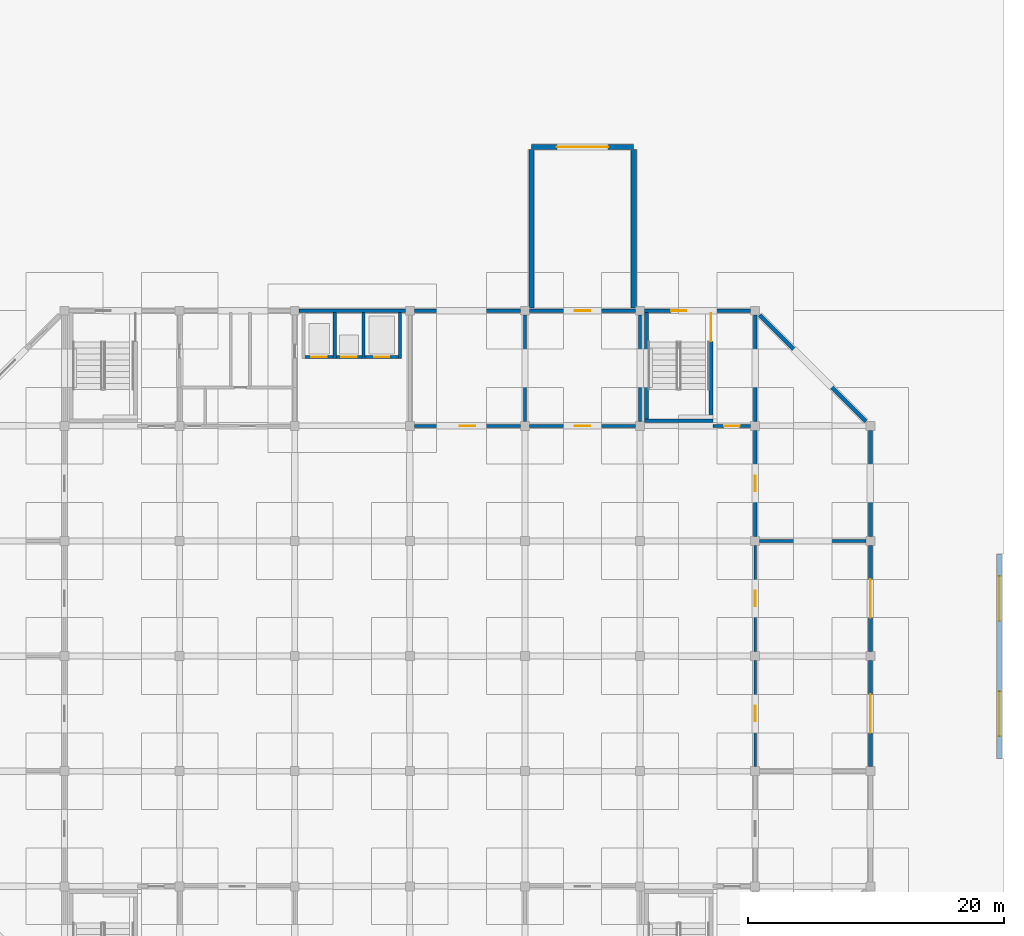
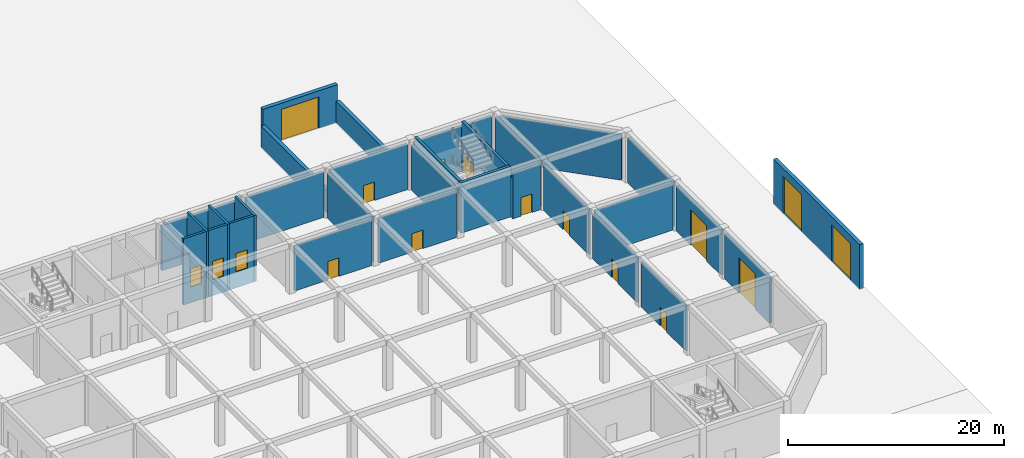
# One storey, part 27 of 44: 29 walls, 17 doors, 17 openings.
"""IFC4 building model written with IfcOpenShell, lengths in metres."""

from ifc_helpers import new_model, si_unit, direction, frame, frame_2d, origin, place, context, subcontext, project, spatial, rectangle, extrude, material, layer, layer_set, type_object, element, fill, save


model = new_model("IFC4")

# Units and contexts
model_context = context("Model", 3, precision=1e-05, world=origin(), true_north=direction((0.0, 1.0)))
body_context = subcontext(model_context, "Body", "Model", "MODEL_VIEW")
ifc_project = project(units=[si_unit("LENGTHUNIT", "METRE"), si_unit("AREAUNIT", "SQUARE_METRE"), si_unit("VOLUMEUNIT", "CUBIC_METRE"), si_unit("PLANEANGLEUNIT", "RADIAN"), si_unit("MASSUNIT", "GRAM", prefix="KILO")], contexts=[model_context])

# Site, building, storey
site_placement = place(None, origin())
site = spatial("IfcSite", under=ifc_project, at=site_placement, CompositionType="ELEMENT")
building_placement = place(site_placement, origin())
building = spatial("IfcBuilding", under=site, at=building_placement, Name="Dhurran Vertical Campus", CompositionType="ELEMENT")
storey_placement = place(building_placement, origin())
storey = spatial("IfcBuildingStorey", under=building, at=storey_placement, Name="L00", CompositionType="ELEMENT", Elevation=0.0)

# Wall, opening, door
ifc_material_1 = material(Name="Precast concrete C40/50", Category="concrete")
ifc_layer_1 = layer(ifc_material_1, 0.300048828125)
ifc_layer_set_1 = layer_set([ifc_layer_1], Name="Precast concrete C40/50")
wall_type_1 = type_object("IfcWallType", Name="hl-external wall precast 300", PredefinedType="SOLIDWALL", material=ifc_layer_set_1)
wall_1_placement = place(storey_placement, frame((133.5, -8.64990234375, 0.0), z_axis=(0.0, 0.0, 1.0), x_axis=(0.0, 1.0, 0.0)))
wall_1 = element("IfcWall", 1, at=wall_1_placement, inside=storey, type_object=wall_type_1, Name="Hall external wall L00-020", PredefinedType="SOLIDWALL", context=body_context, shape_type="SweptSolid", body=[
    extrude(rectangle(XDim=8.2998046875, YDim=0.300048828125, at=frame_2d((4.14990234375, 0.0))), origin(), (0.0, 0.0, 1.0), 5.10009765625),
])
opening_1_placement = place(wall_1_placement, frame((2.64990234375, 0.0, 0.0)))
opening_1 = element("IfcOpeningElement", 2, at=opening_1_placement, cuts=wall_1, Name="Opening HDE07", PredefinedType="OPENING", context=body_context, shape_type="SweptSolid", body=[
    extrude(rectangle(XDim=3.0, YDim=4.0, at=frame_2d((1.5, 2.0))), frame((0.0, 0.159912109375, 0.0), z_axis=(0.0, -1.0, 0.0), x_axis=(1.0, 0.0, 0.0)), (0.0, 0.0, 1.0), 0.320068359375),
])
ifc_material_2 = material(Name="Galvanised sheet steel", Category="steel")
door_type_1 = type_object("IfcDoorType", Name="hl-dock door roller 3000x4000", OperationType="NOTDEFINED", PredefinedType="DOOR", material=ifc_material_2)
door_1_placement = place(opening_1_placement, origin())
door_1 = element("IfcDoor", 3, at=door_1_placement, inside=storey, type_object=door_type_1, Name="Door HDE07", OperationType="ROLLINGUP", OverallHeight=4.0, OverallWidth=3.0, PredefinedType="DOOR", context=body_context, shape_type="SweptSolid", body=[
    extrude(rectangle(XDim=3.0, YDim=4.0, at=frame_2d((1.5, 2.0))), frame((0.0, 0.02490234375, 0.0), z_axis=(0.0, -1.0, 0.0), x_axis=(1.0, 0.0, 0.0)), (0.0, 0.0, 1.0), 0.050048828125),
])
fill(opening_1, door_1)

wall_2_placement = place(storey_placement, frame((133.5, 0.35009765625, 0.0), z_axis=(0.0, 0.0, 1.0), x_axis=(0.0, 1.0, 0.0)))
wall_2 = element("IfcWall", 4, at=wall_2_placement, inside=storey, type_object=wall_type_1, Name="Hall external wall L00-022", PredefinedType="SOLIDWALL", context=body_context, shape_type="SweptSolid", body=[
    extrude(rectangle(XDim=8.2998046875, YDim=0.300048828125, at=frame_2d((4.14990234375, 0.0))), origin(), (0.0, 0.0, 1.0), 5.10009765625),
])
opening_2_placement = place(wall_2_placement, frame((2.64990234375, 0.0, 0.0)))
opening_2 = element("IfcOpeningElement", 5, at=opening_2_placement, cuts=wall_2, Name="Opening HDE08", PredefinedType="OPENING", context=body_context, shape_type="SweptSolid", body=[
    extrude(rectangle(XDim=3.0, YDim=4.0, at=frame_2d((1.5, 2.0))), frame((0.0, 0.159912109375, 0.0), z_axis=(0.0, -1.0, 0.0), x_axis=(1.0, 0.0, 0.0)), (0.0, 0.0, 1.0), 0.320068359375),
])
door_2_placement = place(opening_2_placement, origin())
door_2 = element("IfcDoor", 6, at=door_2_placement, inside=storey, type_object=door_type_1, Name="Door HDE08", OperationType="ROLLINGUP", OverallHeight=4.0, OverallWidth=3.0, PredefinedType="DOOR", context=body_context, shape_type="SweptSolid", body=[
    extrude(rectangle(XDim=3.0, YDim=4.0, at=frame_2d((1.5, 2.0))), frame((0.0, 0.02490234375, 0.0), z_axis=(0.0, -1.0, 0.0), x_axis=(1.0, 0.0, 0.0)), (0.0, 0.0, 1.0), 0.050048828125),
])
fill(opening_2, door_2)

# Walls
wall_3_placement = place(storey_placement, frame((133.5, 9.35009765625, 0.0), z_axis=(0.0, 0.0, 1.0), x_axis=(0.0, 1.0, 0.0)))
element("IfcWall", 7, at=wall_3_placement, inside=storey, type_object=wall_type_1, Name="Hall external wall L00-024", PredefinedType="SOLIDWALL", context=body_context, shape_type="SweptSolid", body=[
    extrude(rectangle(XDim=8.2998046875, YDim=0.300048828125, at=frame_2d((4.14990234375, 0.0))), origin(), (0.0, 0.0, 1.0), 5.10009765625),
])
wall_4_placement = place(storey_placement, frame((133.14990234375, 18.35009765625, 0.0), z_axis=(0.0, 0.0, 1.0), x_axis=(-0.707106781187, 0.707106781187, 0.0)))
element("IfcWall", 8, at=wall_4_placement, inside=storey, type_object=wall_type_1, Name="Hall external wall L00-026", PredefinedType="SOLIDWALL", context=body_context, shape_type="SweptSolid", body=[
    extrude(rectangle(XDim=11.73779296875, YDim=0.300048828125, at=frame_2d((5.868896484375, 0.0))), origin(), (0.0, 0.0, 1.0), 5.10009765625),
])

# Wall, opening, door
wall_5_placement = place(storey_placement, frame((115.14990234375, 27.0, 0.0), z_axis=(0.0, 0.0, 1.0), x_axis=(-1.0, 0.0, 0.0)))
wall_5 = element("IfcWall", 9, at=wall_5_placement, inside=storey, type_object=wall_type_1, Name="Hall external wall L00-030", PredefinedType="SOLIDWALL", context=body_context, shape_type="SweptSolid", body=[
    extrude(rectangle(XDim=8.2998046875, YDim=0.300048828125, at=frame_2d((4.14990234375, 0.0))), origin(), (0.0, 0.0, 1.0), 5.10009765625),
])
opening_3_placement = place(wall_5_placement, frame((3.550048828125, 0.0, 0.0)))
opening_3 = element("IfcOpeningElement", 10, at=opening_3_placement, cuts=wall_5, Name="Opening HDE10", PredefinedType="OPENING", context=body_context, shape_type="SweptSolid", body=[
    extrude(rectangle(XDim=1.199951171875, YDim=2.10009765625, at=frame_2d((0.60009765625, 1.050048828125))), frame((0.0, 0.159912109375, 0.0), z_axis=(0.0, -1.0, 0.0), x_axis=(1.0, 0.0, 0.0)), (0.0, 0.0, 1.0), 0.320068359375),
])
ifc_material_3 = material(Name="Galvanised sheet steel", Category="steel")
door_type_2 = type_object("IfcDoorType", Name="hl-service door 1200x2100", OperationType="NOTDEFINED", PredefinedType="DOOR", material=ifc_material_3)
door_3_placement = place(opening_3_placement, origin())
door_3 = element("IfcDoor", 11, at=door_3_placement, inside=storey, type_object=door_type_2, Name="Door HDE10", OperationType="SINGLE_SWING_LEFT", OverallHeight=2.10009765625, OverallWidth=1.199951171875, PredefinedType="DOOR", context=body_context, shape_type="SweptSolid", body=[
    extrude(rectangle(XDim=1.199951171875, YDim=2.10009765625, at=frame_2d((0.60009765625, 1.050048828125))), frame((0.0, 0.02490234375, 0.0), z_axis=(0.0, -1.0, 0.0), x_axis=(1.0, 0.0, 0.0)), (0.0, 0.0, 1.0), 0.050048828125),
])
fill(opening_3, door_3)

# Walls
for number, where, z_axis, x_axis, name in (
    (12, (106.14990234375, 27.0, 0.0), (0.0, 0.0, 1.0), (-1.0, 0.0, 0.0), "Hall external wall L00-032"),
    (13, (97.14990234375, 27.0, 0.0), (0.0, 0.0, 1.0), (-1.0, 0.0, 0.0), "Hall external wall L00-034"),
):
    element("IfcWall", number, at=place(storey_placement, frame(where, z_axis=z_axis, x_axis=x_axis)), inside=storey, type_object=wall_type_1, Name=name, PredefinedType="SOLIDWALL", context=body_context, shape_type="SweptSolid", body=[
        extrude(rectangle(XDim=8.2998046875, YDim=0.300048828125, at=frame_2d((4.14990234375, 0.0))), origin(), (0.0, 0.0, 1.0), 5.10009765625),
    ])

# Wall, opening, door
ifc_material_4 = material(Name="Precast concrete C40/50", Category="concrete")
ifc_layer_2 = layer(ifc_material_4, 0.300048828125)
ifc_layer_set_2 = layer_set([ifc_layer_2], Name="Precast concrete C40/50")
wall_type_2 = type_object("IfcWallType", Name="hl-external wall precast 300 EI 120", PredefinedType="SOLIDWALL", material=ifc_layer_set_2)
wall_6_placement = place(storey_placement, frame((124.14990234375, 27.0, 0.0), z_axis=(0.0, 0.0, 1.0), x_axis=(-1.0, 0.0, 0.0)))
wall_6 = element("IfcWall", 14, at=wall_6_placement, inside=storey, type_object=wall_type_2, Name="Hall external wall L00-028", PredefinedType="SOLIDWALL", context=body_context, shape_type="SweptSolid", body=[
    extrude(rectangle(XDim=8.2998046875, YDim=0.300048828125, at=frame_2d((4.14990234375, 0.0))), origin(), (0.0, 0.0, 1.0), 5.10009765625),
])
opening_4_placement = place(wall_6_placement, frame((6.224853515625, 0.0, 0.0), z_axis=(0.0, 0.0, 1.0), x_axis=(-1.0, 0.0, 0.0)))
opening_4 = element("IfcOpeningElement", 15, at=opening_4_placement, cuts=wall_6, Name="Opening HDE09", PredefinedType="OPENING", context=body_context, shape_type="SweptSolid", body=[
    extrude(rectangle(XDim=1.199951171875, YDim=2.10009765625, at=frame_2d((0.60009765625, 1.050048828125))), frame((0.0, 0.159912109375, 0.0), z_axis=(0.0, -1.0, 0.0), x_axis=(1.0, 0.0, 0.0)), (0.0, 0.0, 1.0), 0.320068359375),
])
ifc_material_5 = material(Name="Galvanised sheet steel", Category="steel")
door_type_3 = type_object("IfcDoorType", Name="hl-stair exit door 1200x2100 FD90", OperationType="NOTDEFINED", PredefinedType="DOOR", material=ifc_material_5)
door_4_placement = place(opening_4_placement, origin())
door_4 = element("IfcDoor", 16, at=door_4_placement, inside=storey, type_object=door_type_3, Name="Door HDE09", OperationType="SINGLE_SWING_LEFT", OverallHeight=2.10009765625, OverallWidth=1.199951171875, PredefinedType="DOOR", context=body_context, shape_type="SweptSolid", body=[
    extrude(rectangle(XDim=1.199951171875, YDim=2.10009765625, at=frame_2d((0.60009765625, 1.050048828125))), frame((0.0, 0.02490234375, 0.0), z_axis=(0.0, -1.0, 0.0), x_axis=(1.0, 0.0, 0.0)), (0.0, 0.0, 1.0), 0.050048828125),
])
fill(opening_4, door_4)

# Walls
ifc_material_6 = material(Name="Concrete C40/50", Category="concrete")
ifc_layer_3 = layer(ifc_material_6, 0.25)
ifc_layer_set_3 = layer_set([ifc_layer_3], Name="Concrete C40/50")
wall_type_3 = type_object("IfcWallType", Name="hl-lift shaft wall 250", PredefinedType="SHEAR", material=ifc_layer_set_3)
for number, where, z_axis, x_axis, name in (
    (17, (91.625, 23.25, -1.780029296875), (0.0, 0.0, 1.0), (0.0, 1.0, 0.0), "Lift shaft wall V1 L00"),
    (18, (93.875, 23.25, -1.780029296875), (0.0, 0.0, 1.0), (0.0, 1.0, 0.0), "Lift shaft wall V2 L00"),
    (19, (96.72509765625, 23.25, -1.780029296875), (0.0, 0.0, 1.0), (0.0, 1.0, 0.0), "Lift shaft wall V3 L00"),
):
    element("IfcWall", number, at=place(storey_placement, frame(where, z_axis=z_axis, x_axis=x_axis)), inside=storey, type_object=wall_type_3, Name=name, PredefinedType="SHEAR", context=body_context, shape_type="SweptSolid", body=[
        extrude(rectangle(XDim=3.60009765625, YDim=0.25, at=frame_2d((1.800048828125, 0.0))), origin(), (0.0, 0.0, 1.0), 7.5),
    ])

# Wall, openings, doors
wall_7_placement = place(storey_placement, frame((89.050048828125, 23.375, -1.780029296875), z_axis=(0.0, 0.0, 1.0), x_axis=(1.0, 0.0, 0.0)))
wall_7 = element("IfcWall", 20, at=wall_7_placement, inside=storey, type_object=wall_type_3, Name="Lift shaft front wall L00", PredefinedType="SHEAR", context=body_context, shape_type="SweptSolid", body=[
    extrude(rectangle(XDim=7.800048828125, YDim=0.25, at=frame_2d((3.89990234375, 0.0))), origin(), (0.0, 0.0, 1.0), 7.5),
])
opening_5_placement = place(wall_7_placement, frame((0.75, 0.0, 1.780029296875)))
opening_5 = element("IfcOpeningElement", 21, at=opening_5_placement, cuts=wall_7, Name="Opening LD", PredefinedType="OPENING", context=body_context, shape_type="SweptSolid", body=[
    extrude(rectangle(XDim=1.199951171875, YDim=2.10009765625, at=frame_2d((0.60009765625, 1.050048828125))), frame((0.0, 0.135009765625, 0.0), z_axis=(0.0, -1.0, 0.0), x_axis=(1.0, 0.0, 0.0)), (0.0, 0.0, 1.0), 0.27001953125),
])
opening_6_placement = place(wall_7_placement, frame((3.10009765625, 0.0, 1.780029296875)))
opening_6 = element("IfcOpeningElement", 22, at=opening_6_placement, cuts=wall_7, Name="Opening LD", PredefinedType="OPENING", context=body_context, shape_type="SweptSolid", body=[
    extrude(rectangle(XDim=1.199951171875, YDim=2.10009765625, at=frame_2d((0.60009765625, 1.050048828125))), frame((0.0, 0.135009765625, 0.0), z_axis=(0.0, -1.0, 0.0), x_axis=(1.0, 0.0, 0.0)), (0.0, 0.0, 1.0), 0.27001953125),
])
opening_7_placement = place(wall_7_placement, frame((5.64990234375, 0.0, 1.780029296875)))
opening_7 = element("IfcOpeningElement", 23, at=opening_7_placement, cuts=wall_7, Name="Opening LD", PredefinedType="OPENING", context=body_context, shape_type="SweptSolid", body=[
    extrude(rectangle(XDim=1.199951171875, YDim=2.10009765625, at=frame_2d((0.60009765625, 1.050048828125))), frame((0.0, 0.135009765625, 0.0), z_axis=(0.0, -1.0, 0.0), x_axis=(1.0, 0.0, 0.0)), (0.0, 0.0, 1.0), 0.27001953125),
])
ifc_material_7 = material(Name="Stainless steel landing door", Category="steel")
door_type_4 = type_object("IfcDoorType", Name="co-D-LANDING 1200x2100", OperationType="DOUBLE_DOOR_SLIDING", PredefinedType="DOOR", material=ifc_material_7)
door_5_placement = place(opening_5_placement, origin())
door_5 = element("IfcDoor", 24, at=door_5_placement, inside=storey, type_object=door_type_4, Name="Landing door HLF1 L00", OperationType="DOUBLE_DOOR_SLIDING", OverallHeight=2.10009765625, OverallWidth=1.199951171875, PredefinedType="DOOR", context=body_context, shape_type="SweptSolid", body=[
    extrude(rectangle(XDim=1.199951171875, YDim=2.10009765625, at=frame_2d((0.60009765625, 1.050048828125))), frame((0.0, 0.02490234375, 0.0), z_axis=(0.0, -1.0, 0.0), x_axis=(1.0, 0.0, 0.0)), (0.0, 0.0, 1.0), 0.050048828125),
])
fill(opening_5, door_5)
door_6_placement = place(opening_6_placement, origin())
door_6 = element("IfcDoor", 25, at=door_6_placement, inside=storey, type_object=door_type_4, Name="Landing door HLF2 L00", OperationType="DOUBLE_DOOR_SLIDING", OverallHeight=2.10009765625, OverallWidth=1.199951171875, PredefinedType="DOOR", context=body_context, shape_type="SweptSolid", body=[
    extrude(rectangle(XDim=1.199951171875, YDim=2.10009765625, at=frame_2d((0.60009765625, 1.050048828125))), frame((0.0, 0.02490234375, 0.0), z_axis=(0.0, -1.0, 0.0), x_axis=(1.0, 0.0, 0.0)), (0.0, 0.0, 1.0), 0.050048828125),
])
fill(opening_6, door_6)
door_7_placement = place(opening_7_placement, origin())
door_7 = element("IfcDoor", 26, at=door_7_placement, inside=storey, type_object=door_type_4, Name="Landing door HLF3 L00", OperationType="DOUBLE_DOOR_SLIDING", OverallHeight=2.10009765625, OverallWidth=1.199951171875, PredefinedType="DOOR", context=body_context, shape_type="SweptSolid", body=[
    extrude(rectangle(XDim=1.199951171875, YDim=2.10009765625, at=frame_2d((0.60009765625, 1.050048828125))), frame((0.0, 0.02490234375, 0.0), z_axis=(0.0, -1.0, 0.0), x_axis=(1.0, 0.0, 0.0)), (0.0, 0.0, 1.0), 0.050048828125),
])
fill(opening_7, door_7)

# Wall, opening, door
ifc_material_8 = material(Name="Masonry blockwork", Category="masonry")
ifc_layer_4 = layer(ifc_material_8, 0.199951171875)
ifc_layer_set_4 = layer_set([ifc_layer_4], Name="Masonry blockwork")
wall_type_4 = type_object("IfcWallType", Name="hl-partition blockwork 200 EI 60", PredefinedType="PARTITIONING", material=ifc_layer_set_4)
wall_8_placement = place(storey_placement, frame((124.5, -8.64990234375, 0.0), z_axis=(0.0, 0.0, 1.0), x_axis=(0.0, 1.0, 0.0)))
wall_8 = element("IfcWall", 27, at=wall_8_placement, inside=storey, type_object=wall_type_4, Name="Hall partition L00-040", PredefinedType="PARTITIONING", context=body_context, shape_type="SweptSolid", body=[
    extrude(rectangle(XDim=8.2998046875, YDim=0.199951171875, at=frame_2d((4.14990234375, 0.0))), origin(), (0.0, 0.0, 1.0), 5.10009765625),
])
opening_8_placement = place(wall_8_placement, frame((3.550048828125, 0.0, 0.0)))
opening_8 = element("IfcOpeningElement", 28, at=opening_8_placement, cuts=wall_8, Name="Opening HD019", PredefinedType="OPENING", context=body_context, shape_type="SweptSolid", body=[
    extrude(rectangle(XDim=1.199951171875, YDim=2.10009765625, at=frame_2d((0.60009765625, 1.050048828125))), frame((0.0, 0.10986328125, 0.0), z_axis=(0.0, -1.0, 0.0), x_axis=(1.0, 0.0, 0.0)), (0.0, 0.0, 1.0), 0.219970703125),
])
ifc_material_9 = material(Name="Fire-rated steel door set", Category="steel")
door_type_5 = type_object("IfcDoorType", Name="hl-door 1200x2100 single FD30S", OperationType="NOTDEFINED", PredefinedType="DOOR", material=ifc_material_9)
door_8_placement = place(opening_8_placement, origin())
door_8 = element("IfcDoor", 29, at=door_8_placement, inside=storey, type_object=door_type_5, Name="Door HD019", OperationType="SINGLE_SWING_LEFT", OverallHeight=2.10009765625, OverallWidth=1.199951171875, PredefinedType="DOOR", context=body_context, shape_type="SweptSolid", body=[
    extrude(rectangle(XDim=1.199951171875, YDim=2.10009765625, at=frame_2d((0.60009765625, 1.050048828125))), frame((0.0, 0.02490234375, 0.0), z_axis=(0.0, -1.0, 0.0), x_axis=(1.0, 0.0, 0.0)), (0.0, 0.0, 1.0), 0.050048828125),
])
fill(opening_8, door_8)

wall_9_placement = place(storey_placement, frame((124.5, 0.35009765625, 0.0), z_axis=(0.0, 0.0, 1.0), x_axis=(0.0, 1.0, 0.0)))
wall_9 = element("IfcWall", 30, at=wall_9_placement, inside=storey, type_object=wall_type_4, Name="Hall partition L00-041", PredefinedType="PARTITIONING", context=body_context, shape_type="SweptSolid", body=[
    extrude(rectangle(XDim=8.2998046875, YDim=0.199951171875, at=frame_2d((4.14990234375, 0.0))), origin(), (0.0, 0.0, 1.0), 5.10009765625),
])
opening_9_placement = place(wall_9_placement, frame((3.550048828125, 0.0, 0.0)))
opening_9 = element("IfcOpeningElement", 31, at=opening_9_placement, cuts=wall_9, Name="Opening HD020", PredefinedType="OPENING", context=body_context, shape_type="SweptSolid", body=[
    extrude(rectangle(XDim=1.199951171875, YDim=2.10009765625, at=frame_2d((0.60009765625, 1.050048828125))), frame((0.0, 0.10986328125, 0.0), z_axis=(0.0, -1.0, 0.0), x_axis=(1.0, 0.0, 0.0)), (0.0, 0.0, 1.0), 0.219970703125),
])
door_9_placement = place(opening_9_placement, origin())
door_9 = element("IfcDoor", 32, at=door_9_placement, inside=storey, type_object=door_type_5, Name="Door HD020", OperationType="SINGLE_SWING_RIGHT", OverallHeight=2.10009765625, OverallWidth=1.199951171875, PredefinedType="DOOR", context=body_context, shape_type="SweptSolid", body=[
    extrude(rectangle(XDim=1.199951171875, YDim=2.10009765625, at=frame_2d((0.60009765625, 1.050048828125))), frame((0.0, 0.02490234375, 0.0), z_axis=(0.0, -1.0, 0.0), x_axis=(1.0, 0.0, 0.0)), (0.0, 0.0, 1.0), 0.050048828125),
])
fill(opening_9, door_9)

ifc_material_10 = material(Name="Masonry blockwork", Category="masonry")
ifc_layer_5 = layer(ifc_material_10, 0.25)
ifc_layer_set_5 = layer_set([ifc_layer_5], Name="Masonry blockwork")
wall_type_5 = type_object("IfcWallType", Name="hl-partition blockwork 250 EI 120", PredefinedType="PARTITIONING", material=ifc_layer_set_5)
wall_10_placement = place(storey_placement, frame((97.85009765625, 18.0, 0.0), z_axis=(0.0, 0.0, 1.0), x_axis=(1.0, 0.0, 0.0)))
wall_10 = element("IfcWall", 33, at=wall_10_placement, inside=storey, type_object=wall_type_5, Name="Hall partition L00-029", PredefinedType="PARTITIONING", context=body_context, shape_type="SweptSolid", body=[
    extrude(rectangle(XDim=8.2998046875, YDim=0.25, at=frame_2d((4.14990234375, 0.0))), origin(), (0.0, 0.0, 1.0), 5.10009765625),
])
opening_10_placement = place(wall_10_placement, frame((3.550048828125, 0.0, 0.0)))
opening_10 = element("IfcOpeningElement", 34, at=opening_10_placement, cuts=wall_10, Name="Opening HD016", PredefinedType="OPENING", context=body_context, shape_type="SweptSolid", body=[
    extrude(rectangle(XDim=1.199951171875, YDim=2.10009765625, at=frame_2d((0.60009765625, 1.050048828125))), frame((0.0, 0.135009765625, 0.0), z_axis=(0.0, -1.0, 0.0), x_axis=(1.0, 0.0, 0.0)), (0.0, 0.0, 1.0), 0.27001953125),
])
ifc_material_11 = material(Name="Fire-rated steel door set", Category="steel")
door_type_6 = type_object("IfcDoorType", Name="hl-door 1200x2100 single FD90", OperationType="NOTDEFINED", PredefinedType="DOOR", material=ifc_material_11)
door_10_placement = place(opening_10_placement, origin())
door_10 = element("IfcDoor", 35, at=door_10_placement, inside=storey, type_object=door_type_6, Name="Door HD016", OperationType="SINGLE_SWING_RIGHT", OverallHeight=2.10009765625, OverallWidth=1.199951171875, PredefinedType="DOOR", context=body_context, shape_type="SweptSolid", body=[
    extrude(rectangle(XDim=1.199951171875, YDim=2.10009765625, at=frame_2d((0.60009765625, 1.050048828125))), frame((0.0, 0.02490234375, 0.0), z_axis=(0.0, -1.0, 0.0), x_axis=(1.0, 0.0, 0.0)), (0.0, 0.0, 1.0), 0.050048828125),
])
fill(opening_10, door_10)

# Wall
wall_11_placement = place(storey_placement, frame((106.5, 18.35009765625, 0.0), z_axis=(0.0, 0.0, 1.0), x_axis=(0.0, 1.0, 0.0)))
element("IfcWall", 36, at=wall_11_placement, inside=storey, type_object=wall_type_5, Name="Hall partition L00-032", PredefinedType="PARTITIONING", context=body_context, shape_type="SweptSolid", body=[
    extrude(rectangle(XDim=8.2998046875, YDim=0.25, at=frame_2d((4.14990234375, 0.0))), origin(), (0.0, 0.0, 1.0), 5.10009765625),
])

# Wall, opening, door
wall_12_placement = place(storey_placement, frame((106.85009765625, 18.0, 0.0), z_axis=(0.0, 0.0, 1.0), x_axis=(1.0, 0.0, 0.0)))
wall_12 = element("IfcWall", 37, at=wall_12_placement, inside=storey, type_object=wall_type_5, Name="Hall partition L00-033", PredefinedType="PARTITIONING", context=body_context, shape_type="SweptSolid", body=[
    extrude(rectangle(XDim=8.2998046875, YDim=0.25, at=frame_2d((4.14990234375, 0.0))), origin(), (0.0, 0.0, 1.0), 5.10009765625),
])
opening_11_placement = place(wall_12_placement, frame((3.550048828125, 0.0, 0.0)))
opening_11 = element("IfcOpeningElement", 38, at=opening_11_placement, cuts=wall_12, Name="Opening HD017", PredefinedType="OPENING", context=body_context, shape_type="SweptSolid", body=[
    extrude(rectangle(XDim=1.199951171875, YDim=2.10009765625, at=frame_2d((0.60009765625, 1.050048828125))), frame((0.0, 0.135009765625, 0.0), z_axis=(0.0, -1.0, 0.0), x_axis=(1.0, 0.0, 0.0)), (0.0, 0.0, 1.0), 0.27001953125),
])
ifc_material_12 = material(Name="Fire-rated steel door set", Category="steel")
door_type_7 = type_object("IfcDoorType", Name="hl-door 1200x2100 single FD60", OperationType="NOTDEFINED", PredefinedType="DOOR", material=ifc_material_12)
door_11_placement = place(opening_11_placement, origin())
door_11 = element("IfcDoor", 39, at=door_11_placement, inside=storey, type_object=door_type_7, Name="Door HD017", OperationType="SINGLE_SWING_LEFT", OverallHeight=2.10009765625, OverallWidth=1.199951171875, PredefinedType="DOOR", context=body_context, shape_type="SweptSolid", body=[
    extrude(rectangle(XDim=1.199951171875, YDim=2.10009765625, at=frame_2d((0.60009765625, 1.050048828125))), frame((0.0, 0.02490234375, 0.0), z_axis=(0.0, -1.0, 0.0), x_axis=(1.0, 0.0, 0.0)), (0.0, 0.0, 1.0), 0.050048828125),
])
fill(opening_11, door_11)

# Wall
wall_13_placement = place(storey_placement, frame((115.5, 18.35009765625, 0.0), z_axis=(0.0, 0.0, 1.0), x_axis=(0.0, 1.0, 0.0)))
element("IfcWall", 40, at=wall_13_placement, inside=storey, type_object=wall_type_5, Name="Hall partition L00-035", PredefinedType="PARTITIONING", context=body_context, shape_type="SweptSolid", body=[
    extrude(rectangle(XDim=8.2998046875, YDim=0.25, at=frame_2d((4.14990234375, 0.0))), origin(), (0.0, 0.0, 1.0), 5.10009765625),
])

# Wall, opening, door
wall_14_placement = place(storey_placement, frame((121.199951171875, 18.0, 0.0), z_axis=(0.0, 0.0, 1.0), x_axis=(1.0, 0.0, 0.0)))
wall_14 = element("IfcWall", 41, at=wall_14_placement, inside=storey, type_object=wall_type_5, Name="Hall partition L00-037", PredefinedType="PARTITIONING", context=body_context, shape_type="SweptSolid", body=[
    extrude(rectangle(XDim=2.949951171875, YDim=0.25, at=frame_2d((1.47509765625, 0.0))), origin(), (0.0, 0.0, 1.0), 5.10009765625),
])
opening_12_placement = place(wall_14_placement, frame((0.875, 0.0, 0.0)))
opening_12 = element("IfcOpeningElement", 42, at=opening_12_placement, cuts=wall_14, Name="Opening HD004", PredefinedType="OPENING", context=body_context, shape_type="SweptSolid", body=[
    extrude(rectangle(XDim=1.199951171875, YDim=2.10009765625, at=frame_2d((0.60009765625, 1.050048828125))), frame((0.0, 0.135009765625, 0.0), z_axis=(0.0, -1.0, 0.0), x_axis=(1.0, 0.0, 0.0)), (0.0, 0.0, 1.0), 0.27001953125),
])
door_12_placement = place(opening_12_placement, origin())
door_12 = element("IfcDoor", 43, at=door_12_placement, inside=storey, type_object=door_type_6, Name="Door HD004", OperationType="SINGLE_SWING_RIGHT", OverallHeight=2.10009765625, OverallWidth=1.199951171875, PredefinedType="DOOR", context=body_context, shape_type="SweptSolid", body=[
    extrude(rectangle(XDim=1.199951171875, YDim=2.10009765625, at=frame_2d((0.60009765625, 1.050048828125))), frame((0.0, 0.02490234375, 0.0), z_axis=(0.0, -1.0, 0.0), x_axis=(1.0, 0.0, 0.0)), (0.0, 0.0, 1.0), 0.050048828125),
])
fill(opening_12, door_12)

wall_15_placement = place(storey_placement, frame((124.5, 9.35009765625, 0.0), z_axis=(0.0, 0.0, 1.0), x_axis=(0.0, 1.0, 0.0)))
wall_15 = element("IfcWall", 44, at=wall_15_placement, inside=storey, type_object=wall_type_5, Name="Hall partition L00-043", PredefinedType="PARTITIONING", context=body_context, shape_type="SweptSolid", body=[
    extrude(rectangle(XDim=8.2998046875, YDim=0.25, at=frame_2d((4.14990234375, 0.0))), origin(), (0.0, 0.0, 1.0), 5.10009765625),
])
opening_13_placement = place(wall_15_placement, frame((3.550048828125, 0.0, 0.0)))
opening_13 = element("IfcOpeningElement", 45, at=opening_13_placement, cuts=wall_15, Name="Opening HD021", PredefinedType="OPENING", context=body_context, shape_type="SweptSolid", body=[
    extrude(rectangle(XDim=1.199951171875, YDim=2.10009765625, at=frame_2d((0.60009765625, 1.050048828125))), frame((0.0, 0.135009765625, 0.0), z_axis=(0.0, -1.0, 0.0), x_axis=(1.0, 0.0, 0.0)), (0.0, 0.0, 1.0), 0.27001953125),
])
door_13_placement = place(opening_13_placement, origin())
door_13 = element("IfcDoor", 46, at=door_13_placement, inside=storey, type_object=door_type_7, Name="Door HD021", OperationType="SINGLE_SWING_LEFT", OverallHeight=2.10009765625, OverallWidth=1.199951171875, PredefinedType="DOOR", context=body_context, shape_type="SweptSolid", body=[
    extrude(rectangle(XDim=1.199951171875, YDim=2.10009765625, at=frame_2d((0.60009765625, 1.050048828125))), frame((0.0, 0.02490234375, 0.0), z_axis=(0.0, -1.0, 0.0), x_axis=(1.0, 0.0, 0.0)), (0.0, 0.0, 1.0), 0.050048828125),
])
fill(opening_13, door_13)

# Walls
for number, where, z_axis, x_axis, name in (
    (47, (124.85009765625, 9.0, 0.0), (0.0, 0.0, 1.0), (1.0, 0.0, 0.0), "Hall partition L00-044"),
    (48, (124.5, 18.35009765625, 0.0), (0.0, 0.0, 1.0), (0.0, 1.0, 0.0), "Hall partition L00-045"),
):
    element("IfcWall", number, at=place(storey_placement, frame(where, z_axis=z_axis, x_axis=x_axis)), inside=storey, type_object=wall_type_5, Name=name, PredefinedType="PARTITIONING", context=body_context, shape_type="SweptSolid", body=[
        extrude(rectangle(XDim=8.2998046875, YDim=0.25, at=frame_2d((4.14990234375, 0.0))), origin(), (0.0, 0.0, 1.0), 5.10009765625),
    ])
ifc_material_13 = material(Name="Concrete C40/50", Category="concrete")
ifc_layer_6 = layer(ifc_material_13, 0.300048828125)
ifc_layer_set_6 = layer_set([ifc_layer_6], Name="Concrete C40/50")
wall_type_6 = type_object("IfcWallType", Name="hl-stair shaft wall 300", PredefinedType="SHEAR", material=ifc_layer_set_6)
wall_16_placement = place(storey_placement, frame((116.0, 26.85009765625, 0.0), z_axis=(0.0, 0.0, 1.0), x_axis=(0.0, -1.0, 0.0)))
element("IfcWall", 49, at=wall_16_placement, inside=storey, type_object=wall_type_6, Name="Stair shaft wall HST2 W L00", PredefinedType="SHEAR", context=body_context, shape_type="SweptSolid", body=[
    extrude(rectangle(XDim=8.300048828125, YDim=0.300048828125, at=frame_2d((4.14990234375, 0.0))), origin(), (0.0, 0.0, 1.0), 5.719970703125),
])

# Wall, opening, door
wall_17_placement = place(storey_placement, frame((121.050048828125, 26.85009765625, 0.0), z_axis=(0.0, 0.0, 1.0), x_axis=(0.0, -1.0, 0.0)))
wall_17 = element("IfcWall", 50, at=wall_17_placement, inside=storey, type_object=wall_type_6, Name="Stair shaft wall HST2 E L00", PredefinedType="SHEAR", context=body_context, shape_type="SweptSolid", body=[
    extrude(rectangle(XDim=8.300048828125, YDim=0.300048828125, at=frame_2d((4.14990234375, 0.0))), origin(), (0.0, 0.0, 1.0), 5.719970703125),
])
opening_14_placement = place(wall_17_placement, frame((0.050048828125, 0.0, 0.0)))
opening_14 = element("IfcOpeningElement", 51, at=opening_14_placement, cuts=wall_17, Name="Opening HDS02", PredefinedType="OPENING", context=body_context, shape_type="SweptSolid", body=[
    extrude(rectangle(XDim=2.199951171875, YDim=2.10009765625, at=frame_2d((1.10009765625, 1.050048828125))), frame((0.0, 0.159912109375, 0.0), z_axis=(0.0, -1.0, 0.0), x_axis=(1.0, 0.0, 0.0)), (0.0, 0.0, 1.0), 0.320068359375),
])
ifc_material_14 = material(Name="Fire-rated steel door set", Category="steel")
door_type_8 = type_object("IfcDoorType", Name="hl-door 2200x2100 double FD90", OperationType="NOTDEFINED", PredefinedType="DOOR", material=ifc_material_14)
door_14_placement = place(opening_14_placement, origin())
door_14 = element("IfcDoor", 52, at=door_14_placement, inside=storey, type_object=door_type_8, Name="Door HDS02", OperationType="DOUBLE_DOOR_SINGLE_SWING", OverallHeight=2.10009765625, OverallWidth=2.199951171875, PredefinedType="DOOR", context=body_context, shape_type="SweptSolid", body=[
    extrude(rectangle(XDim=2.199951171875, YDim=2.10009765625, at=frame_2d((1.10009765625, 1.050048828125))), frame((0.0, 0.02490234375, 0.0), z_axis=(0.0, -1.0, 0.0), x_axis=(1.0, 0.0, 0.0)), (0.0, 0.0, 1.0), 0.050048828125),
])
fill(opening_14, door_14)

# Wall
wall_18_placement = place(storey_placement, frame((115.85009765625, 18.39990234375, 0.0), z_axis=(0.0, 0.0, 1.0), x_axis=(1.0, 0.0, 0.0)))
element("IfcWall", 53, at=wall_18_placement, inside=storey, type_object=wall_type_6, Name="Stair shaft wall HST2 F L00", PredefinedType="SHEAR", context=body_context, shape_type="SweptSolid", body=[
    extrude(rectangle(XDim=5.349853515625, YDim=0.300048828125, at=frame_2d((2.6748046875, 0.0))), origin(), (0.0, 0.0, 1.0), 5.719970703125),
])

# Wall, openings, doors
ifc_material_15 = material(Name="Concrete C35/45", Category="concrete")
ifc_layer_7 = layer(ifc_material_15, 0.39990234375)
ifc_layer_set_7 = layer_set([ifc_layer_7], Name="Concrete C35/45")
wall_type_7 = type_object("IfcWallType", Name="st-gate wall 400", PredefinedType="SOLIDWALL", material=ifc_layer_set_7)
wall_19_placement = place(storey_placement, frame((143.60009765625, -8.0, -0.10009765625), z_axis=(0.0, 0.0, 1.0), x_axis=(0.0, 1.0, 0.0)))
wall_19 = element("IfcWall", 54, at=wall_19_placement, inside=storey, type_object=wall_type_7, Name="Loading court gate wall", PredefinedType="SOLIDWALL", context=body_context, shape_type="SweptSolid", body=[
    extrude(rectangle(XDim=16.0, YDim=0.39990234375, at=frame_2d((8.0, 0.0))), origin(), (0.0, 0.0, 1.0), 5.10009765625),
])
opening_15_placement = place(wall_19_placement, frame((1.75, 0.0, 0.0)))
opening_15 = element("IfcOpeningElement", 55, at=opening_15_placement, cuts=wall_19, Name="Opening GT03", PredefinedType="OPENING", context=body_context, shape_type="SweptSolid", body=[
    extrude(rectangle(XDim=3.5, YDim=4.199951171875, at=frame_2d((1.75, 2.10009765625))), frame((0.0, 0.2099609375, 0.0), z_axis=(0.0, -1.0, 0.0), x_axis=(1.0, 0.0, 0.0)), (0.0, 0.0, 1.0), 0.419921875),
])
opening_16_placement = place(wall_19_placement, frame((10.75, 0.0, 0.0)))
opening_16 = element("IfcOpeningElement", 56, at=opening_16_placement, cuts=wall_19, Name="Opening GT04", PredefinedType="OPENING", context=body_context, shape_type="SweptSolid", body=[
    extrude(rectangle(XDim=3.5, YDim=4.199951171875, at=frame_2d((1.75, 2.10009765625))), frame((0.0, 0.2099609375, 0.0), z_axis=(0.0, -1.0, 0.0), x_axis=(1.0, 0.0, 0.0)), (0.0, 0.0, 1.0), 0.419921875),
])
ifc_material_16 = material(Name="Galvanised sheet steel", Category="steel")
door_type_9 = type_object("IfcDoorType", Name="st-loading gate roller 3500x4200", OperationType="ROLLINGUP", PredefinedType="GATE", material=ifc_material_16)
door_15_placement = place(opening_15_placement, origin())
door_15 = element("IfcDoor", 57, at=door_15_placement, inside=storey, type_object=door_type_9, Name="Gate GT03 loading bay 1", OperationType="ROLLINGUP", OverallHeight=4.199951171875, OverallWidth=3.5, PredefinedType="GATE", context=body_context, shape_type="SweptSolid", body=[
    extrude(rectangle(XDim=3.5, YDim=4.199951171875, at=frame_2d((1.75, 2.10009765625))), frame((0.0, 0.02490234375, 0.0), z_axis=(0.0, -1.0, 0.0), x_axis=(1.0, 0.0, 0.0)), (0.0, 0.0, 1.0), 0.050048828125),
])
fill(opening_15, door_15)
door_16_placement = place(opening_16_placement, origin())
door_16 = element("IfcDoor", 58, at=door_16_placement, inside=storey, type_object=door_type_9, Name="Gate GT04 loading bay 2", OperationType="ROLLINGUP", OverallHeight=4.199951171875, OverallWidth=3.5, PredefinedType="GATE", context=body_context, shape_type="SweptSolid", body=[
    extrude(rectangle(XDim=3.5, YDim=4.199951171875, at=frame_2d((1.75, 2.10009765625))), frame((0.0, 0.02490234375, 0.0), z_axis=(0.0, -1.0, 0.0), x_axis=(1.0, 0.0, 0.0)), (0.0, 0.0, 1.0), 0.050048828125),
])
fill(opening_16, door_16)

# Wall, opening, door
wall_20_placement = place(storey_placement, frame((107.0, 39.800048828125, -0.10009765625), z_axis=(0.0, 0.0, 1.0), x_axis=(1.0, 0.0, 0.0)))
wall_20 = element("IfcWall", 59, at=wall_20_placement, inside=storey, type_object=wall_type_7, Name="Refuse yard gate wall", PredefinedType="SOLIDWALL", context=body_context, shape_type="SweptSolid", body=[
    extrude(rectangle(XDim=8.0, YDim=0.39990234375, at=frame_2d((4.0, 0.0))), origin(), (0.0, 0.0, 1.0), 4.300048828125),
])
opening_17_placement = place(wall_20_placement, frame((2.0, 0.0, 0.0)))
opening_17 = element("IfcOpeningElement", 60, at=opening_17_placement, cuts=wall_20, Name="Opening GT05", PredefinedType="OPENING", context=body_context, shape_type="SweptSolid", body=[
    extrude(rectangle(XDim=4.0, YDim=3.60009765625, at=frame_2d((2.0, 1.800048828125))), frame((0.0, 0.2099609375, 0.0), z_axis=(0.0, -1.0, 0.0), x_axis=(1.0, 0.0, 0.0)), (0.0, 0.0, 1.0), 0.419921875),
])
ifc_material_17 = material(Name="Galvanised sheet steel", Category="steel")
door_type_10 = type_object("IfcDoorType", Name="st-service yard gate sliding 4000x3600", OperationType="SLIDING_TO_LEFT", PredefinedType="GATE", material=ifc_material_17)
door_17_placement = place(opening_17_placement, origin())
door_17 = element("IfcDoor", 61, at=door_17_placement, inside=storey, type_object=door_type_10, Name="Gate GT05 refuse yard", OperationType="SLIDING_TO_LEFT", OverallHeight=3.60009765625, OverallWidth=4.0, PredefinedType="GATE", context=body_context, shape_type="SweptSolid", body=[
    extrude(rectangle(XDim=4.0, YDim=3.60009765625, at=frame_2d((2.0, 1.800048828125))), frame((0.0, 0.02490234375, 0.0), z_axis=(0.0, -1.0, 0.0), x_axis=(1.0, 0.0, 0.0)), (0.0, 0.0, 1.0), 0.050048828125),
])
fill(opening_17, door_17)

# Walls
for number, where, z_axis, x_axis, name in (
    (62, (107.0, 27.199951171875, -0.10009765625), (0.0, 0.0, 1.0), (0.0, 1.0, 0.0), "Refuse yard wall W"),
    (63, (115.0, 27.199951171875, -0.10009765625), (0.0, 0.0, 1.0), (0.0, 1.0, 0.0), "Refuse yard wall E"),
):
    element("IfcWall", number, at=place(storey_placement, frame(where, z_axis=z_axis, x_axis=x_axis)), inside=storey, type_object=wall_type_7, Name=name, PredefinedType="SOLIDWALL", context=body_context, shape_type="SweptSolid", body=[
        extrude(rectangle(XDim=12.400146484375, YDim=0.39990234375, at=frame_2d((6.2001953125, 0.0))), origin(), (0.0, 0.0, 1.0), 2.5),
    ])

save(model, "model.ifc")
